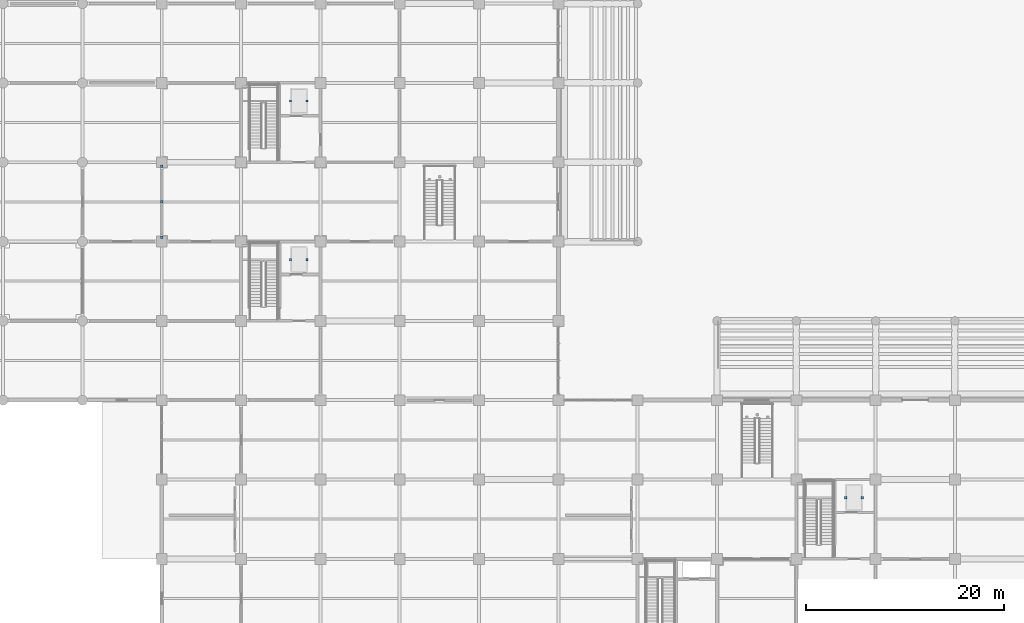
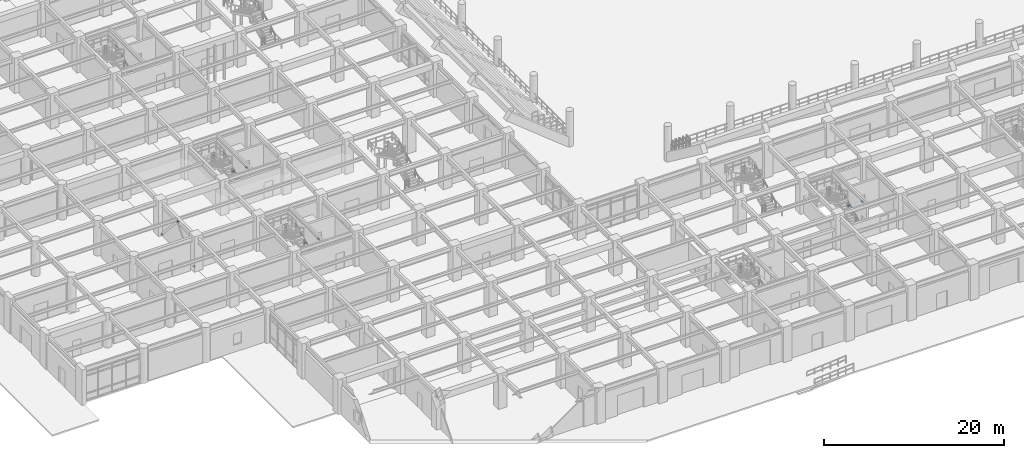
# One storey, part 97 of 125: 9 discrete accessories.
"""IFC4 building model written with IfcOpenShell, lengths in metres."""

from ifc_helpers import new_model, si_unit, direction, frame, origin, origin_2d, place, context, subcontext, project, spatial, rectangle, extrude, material, layer, layer_set, type_object, element, save


model = new_model("IFC4")

# Units and contexts
model_context = context("Model", 3, precision=1e-05, world=origin(), true_north=direction((0.0, 1.0)))
body_context = subcontext(model_context, "Body", "Model", "MODEL_VIEW")
ifc_project = project(units=[si_unit("LENGTHUNIT", "METRE"), si_unit("AREAUNIT", "SQUARE_METRE"), si_unit("VOLUMEUNIT", "CUBIC_METRE"), si_unit("PLANEANGLEUNIT", "RADIAN"), si_unit("MASSUNIT", "GRAM", prefix="KILO")], contexts=[model_context])

# Site, building, storey
site_placement = place(None, origin())
site = spatial("IfcSite", under=ifc_project, at=site_placement, CompositionType="ELEMENT")
building_placement = place(site_placement, origin())
building = spatial("IfcBuilding", under=site, at=building_placement, Name="Haebicheon Civic Stadium", CompositionType="ELEMENT")
storey_placement = place(building_placement, origin())
storey = spatial("IfcBuildingStorey", under=building, at=storey_placement, Name="L01", CompositionType="ELEMENT", Elevation=0.0)

# Discrete accessories
ifc_material_1 = material(Name="White painted steel SM490", Category="steel")
ifc_layer_1 = layer(ifc_material_1, 0.179931640625, Name="White painted steel SM490")
ifc_layer_set_1 = layer_set([ifc_layer_1], Name="White painted steel SM490")
discrete_accessory_type_1 = type_object("IfcDiscreteAccessoryType", Name="BRK-END-PLT", PredefinedType="BRACKET", material=ifc_layer_set_1)
for number, where, z_axis, x_axis, name in (
    (1, (24.0, 48.419921875, -0.0498046875), (0.0, 0.0, 1.0), (1.0, 0.0, 0.0), "Brace L01-03-06 bolted end connection plate"),
    (2, (24.0, 55.580078125, -0.0498046875), (0.0, 0.0, 1.0), (1.0, 0.0, 0.0), "Brace L01-03-06 bolted end connection plate"),
    (3, (24.0, 52.0, 3.85009765625), (0.0, 0.0, 1.0), (1.0, 0.0, 0.0), "Brace L01-03-06 bolted end connection plate"),
):
    element("IfcDiscreteAccessory", number, at=place(storey_placement, frame(where, z_axis=z_axis, x_axis=x_axis)), inside=storey, type_object=discrete_accessory_type_1, material=ifc_layer_set_1, Name=name, PredefinedType="BRACKET", context=body_context, shape_type="SweptSolid", body=[
        extrude(rectangle(XDim=0.239990234375, YDim=0.239990234375, at=origin_2d()), origin(), (0.0, 0.0, 1.0), 0.179931640625),
    ])
ifc_material_2 = material(Name="Stainless steel 316", Category="steel")
ifc_layer_2 = layer(ifc_material_2, 0.139892578125, Name="Stainless steel 316")
ifc_layer_set_2 = layer_set([ifc_layer_2], Name="Stainless steel 316")
discrete_accessory_type_2 = type_object("IfcDiscreteAccessoryType", Name="BRK-LVR-CLEAT", PredefinedType="BRACKET", material=ifc_layer_set_2)
for number, where, z_axis, x_axis, name in (
    (4, (36.989990234375, 46.179931640625, -0.06005859375), (0.0, 0.0, 1.0), (1.0, 0.0, 0.0), "LF-01 shaft guide-rail bracket W"),
    (5, (38.64990234375, 46.179931640625, -0.06005859375), (0.0, 0.0, 1.0), (1.0, 0.0, 0.0), "LF-01 shaft guide-rail bracket E"),
    (6, (36.989990234375, 62.179931640625, -0.06005859375), (0.0, 0.0, 1.0), (1.0, 0.0, 0.0), "LF-02 shaft guide-rail bracket W"),
    (7, (38.64990234375, 62.179931640625, -0.06005859375), (0.0, 0.0, 1.0), (1.0, 0.0, 0.0), "LF-02 shaft guide-rail bracket E"),
    (8, (92.989990234375, 22.179931640625, -0.06005859375), (0.0, 0.0, 1.0), (1.0, 0.0, 0.0), "LF-05 shaft guide-rail bracket W"),
    (9, (94.64990234375, 22.179931640625, -0.06005859375), (0.0, 0.0, 1.0), (1.0, 0.0, 0.0), "LF-05 shaft guide-rail bracket E"),
):
    element("IfcDiscreteAccessory", number, at=place(storey_placement, frame(where, z_axis=z_axis, x_axis=x_axis)), inside=storey, type_object=discrete_accessory_type_2, material=ifc_layer_set_2, Name=name, PredefinedType="BRACKET", context=body_context, shape_type="SweptSolid", body=[
        extrude(rectangle(XDim=0.239990234375, YDim=0.239990234375, at=origin_2d()), origin(), (0.0, 0.0, 1.0), 0.159912109375),
    ])

save(model, "model.ifc")
